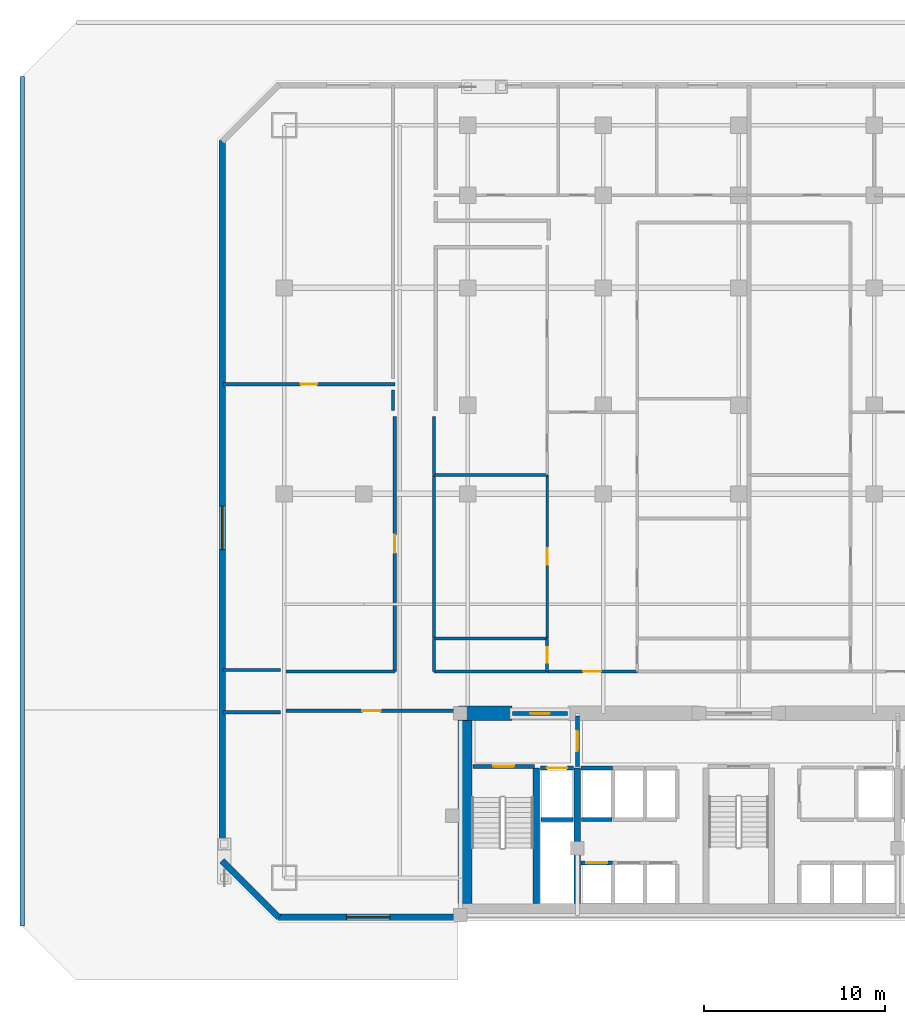
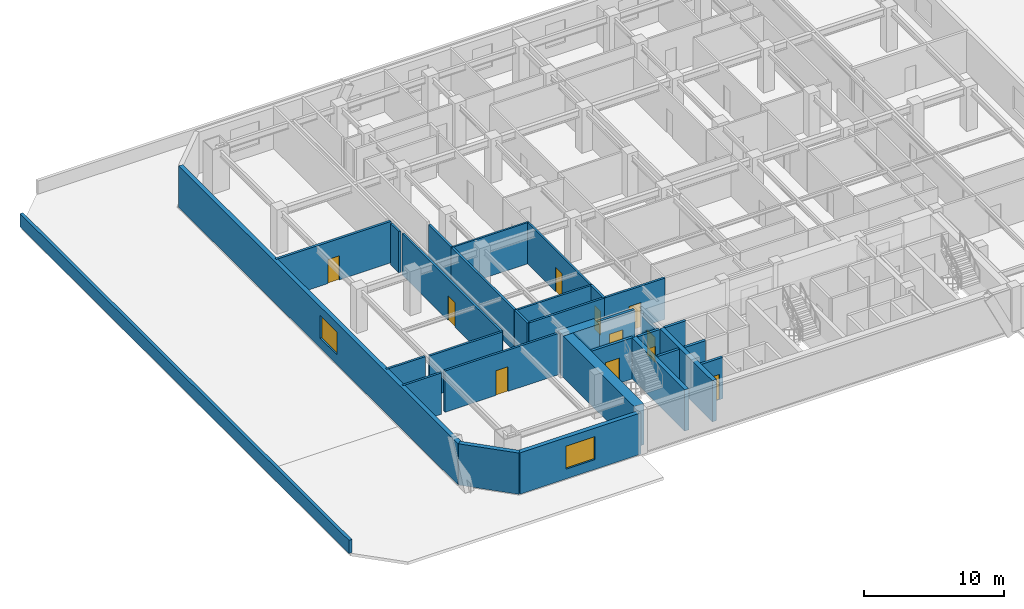
# One storey, part 5 of 11: 32 walls, 11 doors, 2 windows, 13 openings.
"""IFC4 building model written with IfcOpenShell, lengths in metres."""

import ifcopenshell
import ifcopenshell.guid

model = None  # the IFC model being written
_history = None  # IfcOwnerHistory: only IFC2X3 demands one
_inside = {}  # id of a spatial element -> (the spatial element, [elements in it])
_under = {}  # id of a project, library or spatial element -> (it, [spatial elements below it])
_declared = {}  # id of a project -> (the project, [libraries it declares])
_typed = {}  # id of a type object -> (the type object, [elements of that type])
_made_of = {}  # id of a material, layer set ... -> (it, [elements and type objects made of it])


def new_model(schema):
    """Start an empty IFC model of exactly this schema.

    Asked for "IFC4X3", IfcOpenShell would pick the latest addendum, in which some entities
    have other attributes; the version numbers below select the first issue.
    IFC2X3 requires an IfcOwnerHistory on every rooted entity: one is made here for all.
    """
    global model, _history
    if schema == "IFC4X3":
        model = ifcopenshell.file(schema_version=(4, 3, 0, 0))
    else:
        model = ifcopenshell.file(schema=schema)
    _inside.clear()
    _under.clear()
    _declared.clear()
    _typed.clear()
    _made_of.clear()
    _history = None
    if model.schema == "IFC2X3":
        org = make("IfcOrganization", Name="unknown")
        user = make(
            "IfcPersonAndOrganization",
            ThePerson=make("IfcPerson", FamilyName="unknown"),
            TheOrganization=org,
        )
        app = make(
            "IfcApplication",
            ApplicationDeveloper=org,
            Version="unknown",
            ApplicationFullName="unknown",
            ApplicationIdentifier="unknown",
        )
        _history = make(
            "IfcOwnerHistory",
            OwningUser=user,
            OwningApplication=app,
            ChangeAction="ADDED",
            CreationDate=0,
        )
    return model


def make(cls, **values):
    """One entity of the class cls with the attributes given. An attribute that is None is left unset."""
    return model.create_entity(
        cls, **{name: value for name, value in values.items() if value is not None}
    )


def rooted(cls, **values):
    """An entity with a GlobalId (a new one), such as an element, a storey or a relation."""
    return make(cls, GlobalId=ifcopenshell.guid.new(), OwnerHistory=_history, **values)


def si_unit(unit_type, name, prefix=None):
    """IfcSIUnit, for example si_unit("LENGTHUNIT", "METRE", prefix="MILLI")."""
    return make("IfcSIUnit", UnitType=unit_type, Prefix=prefix, Name=name)


def assignment(units):
    """IfcUnitAssignment: the units of a project."""
    return None if units is None else make("IfcUnitAssignment", Units=units)


def point(xyz):
    """IfcCartesianPoint."""
    return None if xyz is None else make("IfcCartesianPoint", Coordinates=xyz)


def direction(xyz):
    """IfcDirection."""
    return None if xyz is None else make("IfcDirection", DirectionRatios=xyz)


def frame(location, z_axis=None, x_axis=None):
    """IfcAxis2Placement3D, a coordinate frame: its origin and axes. An axis left out is left unset."""
    return make(
        "IfcAxis2Placement3D",
        Location=point(location),
        Axis=direction(z_axis),
        RefDirection=direction(x_axis),
    )


def frame_2d(location, x_axis=None):
    """IfcAxis2Placement2D, a coordinate frame in the plane: its origin and x axis."""
    return make(
        "IfcAxis2Placement2D", Location=point(location), RefDirection=direction(x_axis)
    )


def origin():
    """The frame at (0, 0, 0) with its axes left unset."""
    return frame((0.0, 0.0, 0.0))


def place(relative_to, where):
    """IfcLocalPlacement: puts the frame where relative to a parent placement (None: the world)."""
    return make(
        "IfcLocalPlacement", PlacementRelTo=relative_to, RelativePlacement=where
    )


def context(
    kind, dimensions, precision=None, world=None, true_north=None, identifier=None
):
    """IfcGeometricRepresentationContext, for example the 3D "Model" context."""
    return make(
        "IfcGeometricRepresentationContext",
        ContextIdentifier=identifier,
        ContextType=kind,
        CoordinateSpaceDimension=dimensions,
        Precision=precision,
        WorldCoordinateSystem=world,
        TrueNorth=true_north,
    )


def subcontext(parent, identifier, kind, view, scale=None):
    """IfcGeometricRepresentationSubContext, for example "Body" below "Model"."""
    return make(
        "IfcGeometricRepresentationSubContext",
        ContextIdentifier=identifier,
        ContextType=kind,
        ParentContext=parent,
        TargetScale=scale,
        TargetView=view,
    )


def project(units=None, contexts=None):
    """IfcProject with its units and contexts."""
    return rooted(
        "IfcProject",
        Name="project",
        RepresentationContexts=contexts,
        UnitsInContext=assignment(units),
    )


def spatial(cls, under=None, at=None, **own):
    """A site, building, storey or space (cls), placed at a placement, below another one or the project."""
    s = rooted(cls, ObjectPlacement=at, **own)
    if under is not None:
        _under.setdefault(under.id(), (under, []))[1].append(s)
    return s


def profile(cls, at=None, kind="AREA", **sizes):
    """A parametric profile (cls). Its sizes go by their IFC names, for example OverallWidth=200.0."""
    return make(cls, ProfileType=kind, Position=at, **sizes)


def rectangle(**sizes):
    """IfcRectangleProfileDef."""
    return profile("IfcRectangleProfileDef", **sizes)


def extrude(swept, where, along, depth):
    """IfcExtrudedAreaSolid: the profile swept, set in the frame where, extruded along a direction by depth."""
    return make(
        "IfcExtrudedAreaSolid",
        SweptArea=swept,
        Position=where,
        ExtrudedDirection=direction(along),
        Depth=depth,
    )


def shape(context_of_items, identifier, shape_type, items):
    """IfcShapeRepresentation: the items that make up one representation, for example the "Body"."""
    return make(
        "IfcShapeRepresentation",
        ContextOfItems=context_of_items,
        RepresentationIdentifier=identifier,
        RepresentationType=shape_type,
        Items=items,
    )


def material(Name=None, Category=None):
    """IfcMaterial."""
    return make("IfcMaterial", Name=Name, Category=Category)


def layer(
    of_material, thickness, ventilated=None, Name=None, Category=None, Priority=None
):
    """IfcMaterialLayer: one layer of a wall or slab, of a material (None: an air gap)."""
    return make(
        "IfcMaterialLayer",
        Material=of_material,
        LayerThickness=thickness,
        IsVentilated=ventilated,
        Name=Name,
        Category=Category,
        Priority=Priority,
    )


def layer_set(layers, Name=None):
    """IfcMaterialLayerSet."""
    return make("IfcMaterialLayerSet", MaterialLayers=layers, LayerSetName=Name)


def made_of(thing, what):
    """Note that an element or type object is made of a material, layer set ...; save() writes the relation."""
    if what is not None:
        _made_of.setdefault(what.id(), (what, []))[1].append(thing)
    return thing


def type_object(cls, material=None, **own):
    """A type object (cls), such as IfcWallType, which elements share."""
    return made_of(rooted(cls, **own), material)


def element(
    cls,
    number,
    at=None,
    inside=None,
    cuts=None,
    type_object=None,
    material=None,
    context=None,
    identifier="Body",
    shape_type=None,
    held_by="IfcProductDefinitionShape",
    body=None,
    shapes=None,
    **own,
):
    """One element of the class cls, such as IfcWall. Its Tag is "e" and its number.

    at: its placement. inside: the storey or other place that contains it. cuts: it is an
    opening in that element (IfcRelVoidsElement). A single representation is given by context,
    identifier, shape_type and body (its items); several are given by shapes. held_by: the class
    of the entity that holds the representations. save() writes the other relations.
    """
    e = rooted(cls, Tag="e%d" % number, ObjectPlacement=at, **own)
    if body is not None:
        shapes = [shape(context, identifier, shape_type, body)]
    if shapes is not None:
        e.Representation = make(held_by, Representations=shapes)
    if inside is not None:
        _inside.setdefault(inside.id(), (inside, []))[1].append(e)
    if cuts is not None:
        rooted(
            "IfcRelVoidsElement", RelatingBuildingElement=cuts, RelatedOpeningElement=e
        )
    if type_object is not None:
        _typed.setdefault(type_object.id(), (type_object, []))[1].append(e)
    return made_of(e, material)


def fill(opening, filler):
    """IfcRelFillsElement: the door or window that sits in an opening."""
    return rooted(
        "IfcRelFillsElement",
        RelatingOpeningElement=opening,
        RelatedBuildingElement=filler,
    )


def aggregate(whole, parts):
    """IfcRelAggregates: a whole, such as a stair, and the parts it consists of."""
    return rooted("IfcRelAggregates", RelatingObject=whole, RelatedObjects=parts)


def save(model, path):
    """Write the relations noted so far, then the file.

    IfcRelAggregates (storeys below a building ...), IfcRelContainedInSpatialStructure (elements
    in a storey), IfcRelDefinesByType, IfcRelAssociatesMaterial and IfcRelDeclares: one each for
    every whole, place, type object, material and project.
    """
    for whole, parts in _under.values():
        aggregate(whole, parts)
    for where, things in _inside.values():
        rooted(
            "IfcRelContainedInSpatialStructure",
            RelatedElements=things,
            RelatingStructure=where,
        )
    for kind, things in _typed.values():
        rooted("IfcRelDefinesByType", RelatedObjects=things, RelatingType=kind)
    for what, things in _made_of.values():
        rooted("IfcRelAssociatesMaterial", RelatedObjects=things, RelatingMaterial=what)
    for by, libraries in _declared.values():
        rooted("IfcRelDeclares", RelatingContext=by, RelatedDefinitions=libraries)
    model.write(path)


model = new_model("IFC4")

# Units and contexts
model_context = context("Model", 3, precision=1e-05, world=origin(), true_north=direction((0.0, 1.0)))
body_context = subcontext(model_context, "Body", "Model", "MODEL_VIEW")
ifc_project = project(units=[si_unit("LENGTHUNIT", "METRE"), si_unit("AREAUNIT", "SQUARE_METRE"), si_unit("VOLUMEUNIT", "CUBIC_METRE"), si_unit("PLANEANGLEUNIT", "RADIAN"), si_unit("MASSUNIT", "GRAM", prefix="KILO")], contexts=[model_context])

# Site, building, storey
site_placement = place(None, origin())
site = spatial("IfcSite", under=ifc_project, at=site_placement, CompositionType="ELEMENT")
building_placement = place(site_placement, origin())
building = spatial("IfcBuilding", under=site, at=building_placement, Name="Ventersveld Concourse Tower", CompositionType="ELEMENT")
storey_placement = place(building_placement, frame((0.0, 0.0, 29.800048828125)))
storey = spatial("IfcBuildingStorey", under=building, at=storey_placement, Name="L06", CompositionType="ELEMENT", Elevation=29.800048828125)

# Walls
ifc_material_1 = material(Name="Concrete C60/75", Category="concrete")
ifc_layer_1 = layer(ifc_material_1, 0.35009765625)
ifc_layer_set_1 = layer_set([ifc_layer_1], Name="Concrete C60/75")
wall_type_1 = type_object("IfcWallType", Name="WL-CORE-350L", PredefinedType="SHEAR", material=ifc_layer_set_1)
for number, where, z_axis, x_axis, name in (
    (1, (17.5400390625, 0.919921875, 0.0), (0.0, 0.0, 1.0), (0.0, 1.0, 0.0), "L06 Core Internal Shear Web W-ST1-E"),
    (2, (19.820068359375, 0.919921875, 0.0), (0.0, 0.0, 1.0), (0.0, 1.0, 0.0), "L06 Core Internal Shear Web W-FF1-E"),
):
    element("IfcWall", number, at=place(storey_placement, frame(where, z_axis=z_axis, x_axis=x_axis)), inside=storey, type_object=wall_type_1, Name=name, PredefinedType="SHEAR", context=body_context, shape_type="SweptSolid", body=[
        extrude(rectangle(XDim=7.5, YDim=0.35009765625, at=frame_2d((3.75, 0.0))), origin(), (0.0, 0.0, 1.0), 3.599853515625),
    ])
ifc_layer_2 = layer(ifc_material_1, 0.800048828125)
ifc_layer_set_2 = layer_set([ifc_layer_2], Name="Concrete C60/75")
wall_type_2 = type_object("IfcWallType", Name="WL-CORE-800", PredefinedType="SHEAR", material=ifc_layer_set_2)
wall_1_placement = place(storey_placement, frame((13.60009765625, 0.919921875, 0.0), z_axis=(0.0, 0.0, 1.0), x_axis=(0.0, 1.0, 0.0)))
element("IfcWall", 3, at=wall_1_placement, inside=storey, type_object=wall_type_2, Name="L06 Rear Core West Shear Wall", PredefinedType="SHEAR", context=body_context, shape_type="SweptSolid", body=[
    extrude(rectangle(XDim=10.530029296875, YDim=0.800048828125, at=frame_2d((5.26513671875, 0.0))), origin(), (0.0, 0.0, 1.0), 3.599853515625),
])
wall_2_placement = place(storey_placement, frame((13.25, 11.449951171875, 0.0), z_axis=(0.0, 0.0, 1.0), x_axis=(1.0, 0.0, 0.0)))
element("IfcWall", 4, at=wall_2_placement, inside=storey, type_object=wall_type_2, Name="L06 Rear Core North Shear Wall NW", PredefinedType="SHEAR", context=body_context, shape_type="SweptSolid", body=[
    extrude(rectangle(XDim=2.949951171875, YDim=0.800048828125, at=frame_2d((1.47509765625, 0.0))), origin(), (0.0, 0.0, 1.0), 3.599853515625),
])

# Wall, opening, door
ifc_material_2 = material(Name="Fire-rated autoclaved aerated masonry blockwork", Category="masonry")
ifc_layer_3 = layer(ifc_material_2, 0.179931640625)
ifc_layer_set_3 = layer_set([ifc_layer_3], Name="Fire-rated autoclaved aerated masonry blockwork")
wall_type_3 = type_object("IfcWallType", Name="WL-CORR-180", PredefinedType="PARTITIONING", material=ifc_layer_set_3)
wall_3_placement = place(storey_placement, frame((3.705078125, 11.60009765625, 0.0), z_axis=(0.0, 0.0, 1.0), x_axis=(1.0, 0.0, 0.0)))
wall_3 = element("IfcWall", 5, at=wall_3_placement, inside=storey, type_object=wall_type_3, Name="L06 Interior Partition SP-L06-SW-GAL-SP-L06-COR", PredefinedType="PARTITIONING", context=body_context, shape_type="SweptSolid", body=[
    extrude(rectangle(XDim=9.43994140625, YDim=0.179931640625, at=frame_2d((4.719970703125, 0.0))), origin(), (0.0, 0.0, 1.0), 3.599853515625),
])
opening_1_placement = place(wall_3_placement, frame((4.219970703125, 0.0, 0.0)))
opening_1 = element("IfcOpeningElement", 6, at=opening_1_placement, cuts=wall_3, Name="Opening FD3", PredefinedType="OPENING", context=body_context, shape_type="SweptSolid", body=[
    extrude(rectangle(XDim=1.0, YDim=2.14990234375, at=frame_2d((0.5, 1.074951171875))), frame((0.0, 0.10009765625, 0.0), z_axis=(0.0, -1.0, 0.0), x_axis=(1.0, 0.0, 0.0)), (0.0, 0.0, 1.0), 0.199951171875),
])
ifc_material_3 = material(Name="Solid-core hardwood veneer timber", Category="wood")
door_type_1 = type_object("IfcDoorType", Name="DR-FLAT-100", OperationType="NOTDEFINED", PredefinedType="DOOR", material=ifc_material_3)
door_1_placement = place(opening_1_placement, origin())
door_1 = element("IfcDoor", 7, at=door_1_placement, inside=storey, type_object=door_type_1, Name="L06 Interior Door SP-L06-SW-GAL to SP-L06-COR (D-L06-0185)", OperationType="SINGLE_SWING_LEFT", OverallHeight=2.14990234375, OverallWidth=1.0, PredefinedType="DOOR", context=body_context, shape_type="SweptSolid", body=[
    extrude(rectangle(XDim=1.0, YDim=2.14990234375, at=frame_2d((0.5, 1.074951171875))), frame((0.0, 0.02490234375, 0.0), z_axis=(0.0, -1.0, 0.0), x_axis=(1.0, 0.0, 0.0)), (0.0, 0.0, 1.0), 0.050048828125),
])
fill(opening_1, door_1)

wall_4_placement = place(storey_placement, frame((9.7099609375, 13.764892578125, 0.0), z_axis=(0.0, 0.0, 1.0), x_axis=(0.0, 1.0, 0.0)))
wall_4 = element("IfcWall", 8, at=wall_4_placement, inside=storey, type_object=wall_type_3, Name="L06 Interior Partition SP-L06-COR-SP-L06-NWLNG1", PredefinedType="PARTITIONING", context=body_context, shape_type="SweptSolid", body=[
    extrude(rectangle(XDim=14.130126953125, YDim=0.179931640625, at=frame_2d((7.06494140625, 0.0))), origin(), (0.0, 0.0, 1.0), 3.599853515625),
])
opening_2_placement = place(wall_4_placement, frame((6.56494140625, 0.0, 0.0)))
opening_2 = element("IfcOpeningElement", 9, at=opening_2_placement, cuts=wall_4, Name="Opening FD3", PredefinedType="OPENING", context=body_context, shape_type="SweptSolid", body=[
    extrude(rectangle(XDim=1.0, YDim=2.14990234375, at=frame_2d((0.5, 1.074951171875))), frame((0.0, 0.10009765625, 0.0), z_axis=(0.0, -1.0, 0.0), x_axis=(1.0, 0.0, 0.0)), (0.0, 0.0, 1.0), 0.199951171875),
])
door_2_placement = place(opening_2_placement, origin())
door_2 = element("IfcDoor", 10, at=door_2_placement, inside=storey, type_object=door_type_1, Name="L06 Interior Door SP-L06-COR to SP-L06-NWLNG1 (D-L06-0187)", OperationType="SINGLE_SWING_LEFT", OverallHeight=2.14990234375, OverallWidth=1.0, PredefinedType="DOOR", context=body_context, shape_type="SweptSolid", body=[
    extrude(rectangle(XDim=1.0, YDim=2.14990234375, at=frame_2d((0.5, 1.074951171875))), frame((0.0, 0.02490234375, 0.0), z_axis=(0.0, -1.0, 0.0), x_axis=(1.0, 0.0, 0.0)), (0.0, 0.0, 1.0), 0.050048828125),
])
fill(opening_2, door_2)

# Wall
wall_5_placement = place(storey_placement, frame((3.705078125, 13.77001953125, 0.0), z_axis=(0.0, 0.0, 1.0), x_axis=(1.0, 0.0, 0.0)))
element("IfcWall", 11, at=wall_5_placement, inside=storey, type_object=wall_type_3, Name="L06 Interior Partition SP-L06-COR-SP-L06-NWLNG1", PredefinedType="PARTITIONING", context=body_context, shape_type="SweptSolid", body=[
    extrude(rectangle(XDim=6.010009765625, YDim=0.179931640625, at=frame_2d((3.0048828125, 0.0))), origin(), (0.0, 0.0, 1.0), 3.599853515625),
])

# Wall, opening, door
wall_6_placement = place(storey_placement, frame((18.142822265625, 13.77001953125, 0.0), z_axis=(0.0, 0.0, 1.0), x_axis=(1.0, 0.0, 0.0)))
wall_6 = element("IfcWall", 12, at=wall_6_placement, inside=storey, type_object=wall_type_3, Name="L06 Interior Partition SP-L06-COR-SP-L06-06N1-FOY", PredefinedType="PARTITIONING", context=body_context, shape_type="SweptSolid", body=[
    extrude(rectangle(XDim=4.989990234375, YDim=0.179931640625, at=frame_2d((2.4951171875, 0.0))), origin(), (0.0, 0.0, 1.0), 3.599853515625),
])
opening_3_placement = place(wall_6_placement, frame((1.9951171875, 0.0, 0.0)))
opening_3 = element("IfcOpeningElement", 13, at=opening_3_placement, cuts=wall_6, Name="Opening FD3", PredefinedType="OPENING", context=body_context, shape_type="SweptSolid", body=[
    extrude(rectangle(XDim=1.0, YDim=2.14990234375, at=frame_2d((0.5, 1.074951171875))), frame((0.0, 0.10009765625, 0.0), z_axis=(0.0, -1.0, 0.0), x_axis=(1.0, 0.0, 0.0)), (0.0, 0.0, 1.0), 0.199951171875),
])
door_3_placement = place(opening_3_placement, origin())
door_3 = element("IfcDoor", 14, at=door_3_placement, inside=storey, type_object=door_type_1, Name="L06 Interior Door SP-L06-COR to SP-L06-06N1-FOY (FD-L06-0189)", OperationType="SINGLE_SWING_LEFT", OverallHeight=2.14990234375, OverallWidth=1.0, PredefinedType="DOOR", context=body_context, shape_type="SweptSolid", body=[
    extrude(rectangle(XDim=1.0, YDim=2.14990234375, at=frame_2d((0.5, 1.074951171875))), frame((0.0, 0.02490234375, 0.0), z_axis=(0.0, -1.0, 0.0), x_axis=(1.0, 0.0, 0.0)), (0.0, 0.0, 1.0), 0.050048828125),
])
fill(opening_3, door_3)

# Walls
wall_7_placement = place(storey_placement, frame((11.885009765625, 13.77001953125, 0.0), z_axis=(0.0, 0.0, 1.0), x_axis=(1.0, 0.0, 0.0)))
element("IfcWall", 15, at=wall_7_placement, inside=storey, type_object=wall_type_3, Name="L06 Interior Partition SP-L06-COR-SP-L06-06N1-BATH", PredefinedType="PARTITIONING", context=body_context, shape_type="SweptSolid", body=[
    extrude(rectangle(XDim=6.227783203125, YDim=0.179931640625, at=frame_2d((3.11376953125, 0.0))), origin(), (0.0, 0.0, 1.0), 3.599853515625),
])
wall_8_placement = place(storey_placement, frame((11.889892578125, 13.764892578125, 0.0), z_axis=(0.0, 0.0, 1.0), x_axis=(0.0, 1.0, 0.0)))
element("IfcWall", 16, at=wall_8_placement, inside=storey, type_object=wall_type_3, Name="L06 Interior Partition SP-L06-COR-SP-L06-06N1-BATH", PredefinedType="PARTITIONING", context=body_context, shape_type="SweptSolid", body=[
    extrude(rectangle(XDim=1.840087890625, YDim=0.179931640625, at=frame_2d((0.919921875, 0.0))), origin(), (0.0, 0.0, 1.0), 3.599853515625),
])
wall_9_placement = place(storey_placement, frame((11.889892578125, 15.635009765625, 0.0), z_axis=(0.0, 0.0, 1.0), x_axis=(0.0, 1.0, 0.0)))
element("IfcWall", 17, at=wall_9_placement, inside=storey, type_object=wall_type_3, Name="L06 Interior Partition SP-L06-COR-SP-L06-06N1-DENL", PredefinedType="PARTITIONING", context=body_context, shape_type="SweptSolid", body=[
    extrude(rectangle(XDim=9.019775390625, YDim=0.179931640625, at=frame_2d((4.509765625, 0.0))), origin(), (0.0, 0.0, 1.0), 3.599853515625),
])
wall_10_placement = place(storey_placement, frame((11.889892578125, 24.684814453125, 0.0), z_axis=(0.0, 0.0, 1.0), x_axis=(0.0, 1.0, 0.0)))
element("IfcWall", 18, at=wall_10_placement, inside=storey, type_object=wall_type_3, Name="L06 Interior Partition SP-L06-COR-SP-L06-06N1-DENL2", PredefinedType="PARTITIONING", context=body_context, shape_type="SweptSolid", body=[
    extrude(rectangle(XDim=3.210205078125, YDim=0.179931640625, at=frame_2d((1.60498046875, 0.0))), origin(), (0.0, 0.0, 1.0), 3.599853515625),
])
wall_11_placement = place(storey_placement, frame((0.2099609375, 11.52001953125, 0.0), z_axis=(0.0, 0.0, 1.0), x_axis=(1.0, 0.0, 0.0)))
element("IfcWall", 19, at=wall_11_placement, inside=storey, type_object=wall_type_3, Name="L06 Room Enclosure Wall SP-L06-SW-GAL", PredefinedType="PARTITIONING", context=body_context, shape_type="SweptSolid", body=[
    extrude(rectangle(XDim=3.177734375, YDim=0.179931640625, at=frame_2d((1.5888671875, 0.0))), origin(), (0.0, 0.0, 1.0), 3.599853515625),
])
wall_12_placement = place(storey_placement, frame((9.6201171875, 29.344970703125, 0.0), z_axis=(0.0, 0.0, 1.0), x_axis=(0.0, -1.0, 0.0)))
element("IfcWall", 20, at=wall_12_placement, inside=storey, type_object=wall_type_3, Name="L06 Room Enclosure Wall SP-L06-NWLNG1", PredefinedType="PARTITIONING", context=body_context, shape_type="SweptSolid", body=[
    extrude(rectangle(XDim=1.135009765625, YDim=0.179931640625, at=frame_2d((0.5673828125, 0.0))), origin(), (0.0, 0.0, 1.0), 3.599853515625),
])
wall_13_placement = place(storey_placement, frame((3.39013671875, 13.860107421875, 0.0), z_axis=(0.0, 0.0, 1.0), x_axis=(-1.0, 0.0, 0.0)))
element("IfcWall", 21, at=wall_13_placement, inside=storey, type_object=wall_type_3, Name="L06 Room Enclosure Wall SP-L06-NWLNG1", PredefinedType="PARTITIONING", context=body_context, shape_type="SweptSolid", body=[
    extrude(rectangle(XDim=3.18017578125, YDim=0.179931640625, at=frame_2d((1.590087890625, 0.0))), origin(), (0.0, 0.0, 1.0), 3.599853515625),
])

# Wall, opening, door
ifc_layer_4 = layer(ifc_material_2, 0.199951171875)
ifc_layer_set_4 = layer_set([ifc_layer_4], Name="Fire-rated autoclaved aerated masonry blockwork")
wall_type_4 = type_object("IfcWallType", Name="WL-DEMISE-200", PredefinedType="PARTITIONING", material=ifc_layer_set_4)
wall_14_placement = place(storey_placement, frame((0.2099609375, 29.669921875, 0.0), z_axis=(0.0, 0.0, 1.0), x_axis=(1.0, 0.0, 0.0)))
wall_14 = element("IfcWall", 22, at=wall_14_placement, inside=storey, type_object=wall_type_4, Name="L06 Interior Partition SP-L06-NWLNG1-SP-L06-NWLNG2", PredefinedType="PARTITIONING", context=body_context, shape_type="SweptSolid", body=[
    extrude(rectangle(XDim=9.505126953125, YDim=0.199951171875, at=frame_2d((4.75244140625, 0.0))), origin(), (0.0, 0.0, 1.0), 3.599853515625),
])
opening_4_placement = place(wall_14_placement, frame((4.29248046875, 0.0, 0.0)))
opening_4 = element("IfcOpeningElement", 23, at=opening_4_placement, cuts=wall_14, Name="Opening ID1", PredefinedType="OPENING", context=body_context, shape_type="SweptSolid", body=[
    extrude(rectangle(XDim=0.919921875, YDim=2.10009765625, at=frame_2d((0.4599609375, 1.050048828125))), frame((0.0, 0.10986328125, 0.0), z_axis=(0.0, -1.0, 0.0), x_axis=(1.0, 0.0, 0.0)), (0.0, 0.0, 1.0), 0.219970703125),
])
door_type_2 = type_object("IfcDoorType", Name="DR-ROOM-092", OperationType="NOTDEFINED", PredefinedType="DOOR", material=ifc_material_3)
door_4_placement = place(opening_4_placement, origin())
door_4 = element("IfcDoor", 24, at=door_4_placement, inside=storey, type_object=door_type_2, Name="L06 Interior Door SP-L06-NWLNG1 to SP-L06-NWLNG2 (D-L06-0191)", OperationType="SINGLE_SWING_LEFT", OverallHeight=2.10009765625, OverallWidth=0.919921875, PredefinedType="DOOR", context=body_context, shape_type="SweptSolid", body=[
    extrude(rectangle(XDim=0.919921875, YDim=2.10009765625, at=frame_2d((0.4599609375, 1.050048828125))), frame((0.0, 0.02490234375, 0.0), z_axis=(0.0, -1.0, 0.0), x_axis=(1.0, 0.0, 0.0)), (0.0, 0.0, 1.0), 0.050048828125),
])
fill(opening_4, door_4)

# Wall
ifc_layer_5 = layer(ifc_material_2, 0.219970703125)
ifc_layer_set_5 = layer_set([ifc_layer_5], Name="Fire-rated autoclaved aerated masonry blockwork")
wall_type_5 = type_object("IfcWallType", Name="WL-HOIST-220", PredefinedType="SOLIDWALL", material=ifc_layer_set_5)
wall_15_placement = place(storey_placement, frame((17.800048828125, 5.590087890625, 0.0), z_axis=(0.0, 0.0, 1.0), x_axis=(1.0, 0.0, 0.0)))
element("IfcWall", 25, at=wall_15_placement, inside=storey, type_object=wall_type_5, Name="L06 Lift Hoistway Back Wall FFL-01", PredefinedType="SOLIDWALL", context=body_context, shape_type="SweptSolid", body=[
    extrude(rectangle(XDim=1.780029296875, YDim=0.219970703125, at=frame_2d((0.89013671875, 0.0))), origin(), (0.0, 0.0, 1.0), 3.599853515625),
])

# Wall, opening, door
wall_16_placement = place(storey_placement, frame((17.780029296875, 8.429931640625, 0.0), z_axis=(0.0, 0.0, 1.0), x_axis=(1.0, 0.0, 0.0)))
wall_16 = element("IfcWall", 26, at=wall_16_placement, inside=storey, type_object=wall_type_5, Name="L06 Lift Hoistway Front Wall FFL-01", PredefinedType="SOLIDWALL", context=body_context, shape_type="SweptSolid", body=[
    extrude(rectangle(XDim=1.820068359375, YDim=0.219970703125, at=frame_2d((0.91015625, 0.0))), origin(), (0.0, 0.0, 1.0), 3.599853515625),
])
opening_5_placement = place(wall_16_placement, frame((0.35009765625, 0.0, 0.0)))
opening_5 = element("IfcOpeningElement", 27, at=opening_5_placement, cuts=wall_16, Name="Opening LD1", PredefinedType="OPENING", context=body_context, shape_type="SweptSolid", body=[
    extrude(rectangle(XDim=1.1201171875, YDim=2.25, at=frame_2d((0.56005859375, 1.125))), frame((0.0, 0.1201171875, 0.0), z_axis=(0.0, -1.0, 0.0), x_axis=(1.0, 0.0, 0.0)), (0.0, 0.0, 1.0), 0.239990234375),
])
ifc_material_4 = material(Name="Brushed stainless steel 316", Category="steel")
door_type_3 = type_object("IfcDoorType", Name="LD-FF-112", OperationType="SLIDING_TO_LEFT", PredefinedType="DOOR", material=ifc_material_4)
door_5_placement = place(opening_5_placement, origin())
door_5 = element("IfcDoor", 28, at=door_5_placement, inside=storey, type_object=door_type_3, Name="L06 Lift landing door FFL-01 (LD-L06-FFL-01)", OperationType="SLIDING_TO_LEFT", OverallHeight=2.25, OverallWidth=1.1201171875, PredefinedType="DOOR", context=body_context, shape_type="SweptSolid", body=[
    extrude(rectangle(XDim=1.1201171875, YDim=2.25, at=frame_2d((0.56005859375, 1.125))), frame((0.0, 0.02490234375, 0.0), z_axis=(0.0, -1.0, 0.0), x_axis=(1.0, 0.0, 0.0)), (0.0, 0.0, 1.0), 0.050048828125),
])
fill(opening_5, door_5)

wall_17_placement = place(storey_placement, frame((20.02001953125, 3.179931640625, 0.0), z_axis=(0.0, 0.0, 1.0), x_axis=(1.0, 0.0, 0.0)))
wall_17 = element("IfcWall", 29, at=wall_17_placement, inside=storey, type_object=wall_type_5, Name="L06 Lift Hoistway Front Wall PL-01", PredefinedType="SOLIDWALL", context=body_context, shape_type="SweptSolid", body=[
    extrude(rectangle(XDim=1.739990234375, YDim=0.219970703125, at=frame_2d((0.8701171875, 0.0))), origin(), (0.0, 0.0, 1.0), 3.599853515625),
])
opening_6_placement = place(wall_17_placement, frame((0.280029296875, 0.0, 0.0)))
opening_6 = element("IfcOpeningElement", 30, at=opening_6_placement, cuts=wall_17, Name="Opening LD2", PredefinedType="OPENING", context=body_context, shape_type="SweptSolid", body=[
    extrude(rectangle(XDim=1.179931640625, YDim=2.199951171875, at=frame_2d((0.58984375, 1.10009765625))), frame((0.0, 0.1201171875, 0.0), z_axis=(0.0, -1.0, 0.0), x_axis=(1.0, 0.0, 0.0)), (0.0, 0.0, 1.0), 0.239990234375),
])
door_type_4 = type_object("IfcDoorType", Name="LD-PAX-118", OperationType="SLIDING_TO_LEFT", PredefinedType="DOOR", material=ifc_material_4)
door_6_placement = place(opening_6_placement, origin())
door_6 = element("IfcDoor", 31, at=door_6_placement, inside=storey, type_object=door_type_4, Name="L06 Lift landing door PL-01 (LD-L06-PL-01)", OperationType="SLIDING_TO_RIGHT", OverallHeight=2.199951171875, OverallWidth=1.179931640625, PredefinedType="DOOR", context=body_context, shape_type="SweptSolid", body=[
    extrude(rectangle(XDim=1.179931640625, YDim=2.199951171875, at=frame_2d((0.58984375, 1.10009765625))), frame((0.0, 0.02490234375, 0.0), z_axis=(0.0, -1.0, 0.0), x_axis=(1.0, 0.0, 0.0)), (0.0, 0.0, 1.0), 0.050048828125),
])
fill(opening_6, door_6)

# Walls
wall_18_placement = place(storey_placement, frame((20.0400390625, 5.590087890625, 0.0), z_axis=(0.0, 0.0, 1.0), x_axis=(1.0, 0.0, 0.0)))
element("IfcWall", 32, at=wall_18_placement, inside=storey, type_object=wall_type_5, Name="L06 Lift Hoistway Back Wall PH-01", PredefinedType="SOLIDWALL", context=body_context, shape_type="SweptSolid", body=[
    extrude(rectangle(XDim=1.699951171875, YDim=0.219970703125, at=frame_2d((0.85009765625, 0.0))), origin(), (0.0, 0.0, 1.0), 3.599853515625),
])
wall_19_placement = place(storey_placement, frame((20.02001953125, 8.429931640625, 0.0), z_axis=(0.0, 0.0, 1.0), x_axis=(1.0, 0.0, 0.0)))
element("IfcWall", 33, at=wall_19_placement, inside=storey, type_object=wall_type_5, Name="L06 Lift Hoistway Front Wall PH-01", PredefinedType="SOLIDWALL", context=body_context, shape_type="SweptSolid", body=[
    extrude(rectangle(XDim=1.739990234375, YDim=0.219970703125, at=frame_2d((0.8701171875, 0.0))), origin(), (0.0, 0.0, 1.0), 3.599853515625),
])

# Wall, opening, door
wall_20_placement = place(storey_placement, frame((14.0400390625, 8.52001953125, 0.0), z_axis=(0.0, 0.0, 1.0), x_axis=(1.0, 0.0, 0.0)))
wall_20 = element("IfcWall", 34, at=wall_20_placement, inside=storey, type_object=wall_type_5, Name="L06 Escape Stair ST01 Fire Wall", PredefinedType="SOLIDWALL", context=body_context, shape_type="SweptSolid", body=[
    extrude(rectangle(XDim=3.39990234375, YDim=0.219970703125, at=frame_2d((1.699951171875, 0.0))), origin(), (0.0, 0.0, 1.0), 3.599853515625),
])
opening_7_placement = place(wall_20_placement, frame((1.125, 0.0, 0.0)))
opening_7 = element("IfcOpeningElement", 35, at=opening_7_placement, cuts=wall_20, Name="Opening FD1", PredefinedType="OPENING", context=body_context, shape_type="SweptSolid", body=[
    extrude(rectangle(XDim=1.14990234375, YDim=2.199951171875, at=frame_2d((0.574951171875, 1.10009765625))), frame((0.0, 0.1201171875, 0.0), z_axis=(0.0, -1.0, 0.0), x_axis=(1.0, 0.0, 0.0)), (0.0, 0.0, 1.0), 0.239990234375),
])
ifc_material_5 = material(Name="Galvanised painted steel", Category="steel")
door_type_5 = type_object("IfcDoorType", Name="DR-STAIR-115", OperationType="NOTDEFINED", PredefinedType="DOOR", material=ifc_material_5)
door_7_placement = place(opening_7_placement, origin())
door_7 = element("IfcDoor", 36, at=door_7_placement, inside=storey, type_object=door_type_5, Name="L06 Escape Stair Door ST01 (SD-L06-0176)", OperationType="SINGLE_SWING_LEFT", OverallHeight=2.199951171875, OverallWidth=1.14990234375, PredefinedType="DOOR", context=body_context, shape_type="SweptSolid", body=[
    extrude(rectangle(XDim=1.14990234375, YDim=2.199951171875, at=frame_2d((0.574951171875, 1.10009765625))), frame((0.0, 0.02490234375, 0.0), z_axis=(0.0, -1.0, 0.0), x_axis=(1.0, 0.0, 0.0)), (0.0, 0.0, 1.0), 0.050048828125),
])
fill(opening_7, door_7)

wall_21_placement = place(storey_placement, frame((19.820068359375, 8.52001953125, 0.0), z_axis=(0.0, 0.0, 1.0), x_axis=(0.0, 1.0, 0.0)))
wall_21 = element("IfcWall", 37, at=wall_21_placement, inside=storey, type_object=wall_type_5, Name="L06 Firefighting Lobby Smoke-Stop Wall FFLW-SEP", PredefinedType="SOLIDWALL", context=body_context, shape_type="SweptSolid", body=[
    extrude(rectangle(XDim=2.800048828125, YDim=0.219970703125, at=frame_2d((1.39990234375, 0.0))), origin(), (0.0, 0.0, 1.0), 3.055419921875),
])
opening_8_placement = place(wall_21_placement, frame((0.85009765625, 0.0, 0.0)))
opening_8 = element("IfcOpeningElement", 38, at=opening_8_placement, cuts=wall_21, Name="Opening FD2", PredefinedType="OPENING", context=body_context, shape_type="SweptSolid", body=[
    extrude(rectangle(XDim=1.10009765625, YDim=2.199951171875, at=frame_2d((0.550048828125, 1.10009765625))), frame((0.0, 0.1201171875, 0.0), z_axis=(0.0, -1.0, 0.0), x_axis=(1.0, 0.0, 0.0)), (0.0, 0.0, 1.0), 0.239990234375),
])
door_type_6 = type_object("IfcDoorType", Name="DR-FFL-110", OperationType="NOTDEFINED", PredefinedType="DOOR", material=ifc_material_5)
door_8_placement = place(opening_8_placement, origin())
door_8 = element("IfcDoor", 39, at=door_8_placement, inside=storey, type_object=door_type_6, Name="L06 Firefighting Lobby Door FFLW-SEP (FD-L06-0179)", OperationType="SINGLE_SWING_LEFT", OverallHeight=2.199951171875, OverallWidth=1.10009765625, PredefinedType="DOOR", context=body_context, shape_type="SweptSolid", body=[
    extrude(rectangle(XDim=1.10009765625, YDim=2.199951171875, at=frame_2d((0.550048828125, 1.10009765625))), frame((0.0, 0.02490234375, 0.0), z_axis=(0.0, -1.0, 0.0), x_axis=(1.0, 0.0, 0.0)), (0.0, 0.0, 1.0), 0.050048828125),
])
fill(opening_8, door_8)

wall_22_placement = place(storey_placement, frame((16.22998046875, 11.449951171875, 0.0), z_axis=(0.0, 0.0, 1.0), x_axis=(1.0, 0.0, 0.0)))
wall_22 = element("IfcWall", 40, at=wall_22_placement, inside=storey, type_object=wall_type_5, Name="L06 Core North Fire Portal FFLW-OUT", PredefinedType="SOLIDWALL", context=body_context, shape_type="SweptSolid", body=[
    extrude(rectangle(XDim=3.0400390625, YDim=0.219970703125, at=frame_2d((1.52001953125, 0.0))), origin(), (0.0, 0.0, 1.0), 3.599853515625),
])
opening_9_placement = place(wall_22_placement, frame((0.969970703125, 0.0, 0.0)))
opening_9 = element("IfcOpeningElement", 41, at=opening_9_placement, cuts=wall_22, Name="Opening FD2", PredefinedType="OPENING", context=body_context, shape_type="SweptSolid", body=[
    extrude(rectangle(XDim=1.10009765625, YDim=2.199951171875, at=frame_2d((0.550048828125, 1.10009765625))), frame((0.0, 0.1201171875, 0.0), z_axis=(0.0, -1.0, 0.0), x_axis=(1.0, 0.0, 0.0)), (0.0, 0.0, 1.0), 0.239990234375),
])
door_9_placement = place(opening_9_placement, origin())
door_9 = element("IfcDoor", 42, at=door_9_placement, inside=storey, type_object=door_type_6, Name="L06 Core Lobby Fire Door FFLW-OUT (FD-L06-0181)", OperationType="SINGLE_SWING_RIGHT", OverallHeight=2.199951171875, OverallWidth=1.10009765625, PredefinedType="DOOR", context=body_context, shape_type="SweptSolid", body=[
    extrude(rectangle(XDim=1.10009765625, YDim=2.199951171875, at=frame_2d((0.550048828125, 1.10009765625))), frame((0.0, 0.02490234375, 0.0), z_axis=(0.0, -1.0, 0.0), x_axis=(1.0, 0.0, 0.0)), (0.0, 0.0, 1.0), 0.050048828125),
])
fill(opening_9, door_9)

ifc_material_6 = material(Name="Autoclaved aerated masonry blockwork", Category="masonry")
ifc_layer_6 = layer(ifc_material_6, 0.14990234375)
ifc_layer_set_6 = layer_set([ifc_layer_6], Name="Autoclaved aerated masonry blockwork")
wall_type_6 = type_object("IfcWallType", Name="WL-INT-150", PredefinedType="PARTITIONING", material=ifc_layer_set_6)
wall_23_placement = place(storey_placement, frame((18.14794921875, 15.635009765625, 0.0), z_axis=(0.0, 0.0, 1.0), x_axis=(0.0, 1.0, 0.0)))
wall_23 = element("IfcWall", 43, at=wall_23_placement, inside=storey, type_object=wall_type_6, Name="L06 Interior Partition SP-L06-06N1-FOY-SP-L06-06N1-DENL", PredefinedType="PARTITIONING", context=body_context, shape_type="SweptSolid", body=[
    extrude(rectangle(XDim=9.019775390625, YDim=0.14990234375, at=frame_2d((4.509765625, 0.0))), origin(), (0.0, 0.0, 1.0), 3.599853515625),
])
opening_10_placement = place(wall_23_placement, frame((4.050048828125, 0.0, 0.0)))
opening_10 = element("IfcOpeningElement", 44, at=opening_10_placement, cuts=wall_23, Name="Opening ID1", PredefinedType="OPENING", context=body_context, shape_type="SweptSolid", body=[
    extrude(rectangle(XDim=0.919921875, YDim=2.10009765625, at=frame_2d((0.4599609375, 1.050048828125))), frame((0.0, 0.0849609375, 0.0), z_axis=(0.0, -1.0, 0.0), x_axis=(1.0, 0.0, 0.0)), (0.0, 0.0, 1.0), 0.169921875),
])
door_10_placement = place(opening_10_placement, origin())
door_10 = element("IfcDoor", 45, at=door_10_placement, inside=storey, type_object=door_type_2, Name="L06 Interior Door SP-L06-06N1-FOY to SP-L06-06N1-DENL (D-L06-0195)", OperationType="SINGLE_SWING_LEFT", OverallHeight=2.10009765625, OverallWidth=0.919921875, PredefinedType="DOOR", context=body_context, shape_type="SweptSolid", body=[
    extrude(rectangle(XDim=0.919921875, YDim=2.10009765625, at=frame_2d((0.4599609375, 1.050048828125))), frame((0.0, 0.02490234375, 0.0), z_axis=(0.0, -1.0, 0.0), x_axis=(1.0, 0.0, 0.0)), (0.0, 0.0, 1.0), 0.050048828125),
])
fill(opening_10, door_10)

# Walls
wall_24_placement = place(storey_placement, frame((11.885009765625, 24.64990234375, 0.0), z_axis=(0.0, 0.0, 1.0), x_axis=(1.0, 0.0, 0.0)))
element("IfcWall", 46, at=wall_24_placement, inside=storey, type_object=wall_type_6, Name="L06 Interior Partition SP-L06-06N1-DENL-SP-L06-06N1-DENL2", PredefinedType="PARTITIONING", context=body_context, shape_type="SweptSolid", body=[
    extrude(rectangle(XDim=6.267822265625, YDim=0.14990234375, at=frame_2d((3.1337890625, 0.0))), origin(), (0.0, 0.0, 1.0), 3.599853515625),
])
ifc_material_7 = material(Name="Precast concrete C45/55", Category="concrete")
ifc_layer_7 = layer(ifc_material_7, 0.25)
ifc_layer_set_7 = layer_set([ifc_layer_7], Name="Precast concrete C45/55")
wall_type_7 = type_object("IfcWallType", Name="WL-PARA-250", PredefinedType="PARAPET", material=ifc_layer_set_7)
wall_25_placement = place(storey_placement, frame((-10.89990234375, 46.699951171875, 0.0), z_axis=(0.0, 0.0, 1.0), x_axis=(0.0, -1.0, 0.0)))
element("IfcWall", 47, at=wall_25_placement, inside=storey, type_object=wall_type_7, Name="L06 Setback Roof Parapet Wall 4", PredefinedType="PARAPET", context=body_context, shape_type="SweptSolid", body=[
    extrude(rectangle(XDim=47.0, YDim=0.25, at=frame_2d((23.5, 0.0))), origin(), (0.0, 0.0, 1.0), 1.14990234375),
])

# Wall, opening, window
ifc_layer_8 = layer(ifc_material_7, 0.35009765625)
ifc_layer_set_8 = layer_set([ifc_layer_8], Name="Precast concrete C45/55")
wall_type_8 = type_object("IfcWallType", Name="WL-PREC-350", PredefinedType="SOLIDWALL", material=ifc_layer_set_8)
wall_26_placement = place(storey_placement, frame((3.239990234375, 0.179931640625, 0.0), z_axis=(0.0, 0.0, 1.0), x_axis=(1.0, 0.0, 0.0)))
wall_26 = element("IfcWall", 48, at=wall_26_placement, inside=storey, type_object=wall_type_8, Name="L06 South-West Flank Precast Wall", PredefinedType="SOLIDWALL", context=body_context, shape_type="SweptSolid", body=[
    extrude(rectangle(XDim=10.010009765625, YDim=0.35009765625, at=frame_2d((5.0048828125, 0.0))), origin(), (0.0, 0.0, 1.0), 3.599853515625),
])
opening_11_placement = place(wall_26_placement, frame((3.804931640625, 0.0, 0.85009765625)))
opening_11 = element("IfcOpeningElement", 49, at=opening_11_placement, cuts=wall_26, Name="Opening W5", PredefinedType="OPENING", context=body_context, shape_type="SweptSolid", body=[
    extrude(rectangle(XDim=2.39990234375, YDim=2.0, at=frame_2d((1.199951171875, 1.0))), frame((0.0, 0.18505859375, 0.0), z_axis=(0.0, -1.0, 0.0), x_axis=(1.0, 0.0, 0.0)), (0.0, 0.0, 1.0), 0.3701171875),
])
ifc_material_8 = material(Name="Tempered acoustic Low-E IGU", Category="glass")
window_type = type_object("IfcWindowType", Name="WIN-240x210", PartitioningType="SINGLE_PANEL", PredefinedType="WINDOW", material=ifc_material_8)
window_1_placement = place(opening_11_placement, origin())
window_1 = element("IfcWindow", 50, at=window_1_placement, inside=storey, type_object=window_type, Name="L06 Punched Low-E Window W-0001", OverallHeight=2.0, OverallWidth=2.39990234375, PartitioningType="SINGLE_PANEL", PredefinedType="WINDOW", context=body_context, shape_type="SweptSolid", body=[
    extrude(rectangle(XDim=2.39990234375, YDim=2.0, at=frame_2d((1.199951171875, 1.0))), frame((0.0, 0.030029296875, 0.0), z_axis=(0.0, -1.0, 0.0), x_axis=(1.0, 0.0, 0.0)), (0.0, 0.0, 1.0), 0.06005859375),
])
fill(opening_11, window_1)

wall_27_placement = place(storey_placement, frame((0.175048828125, 43.159912109375, 0.0), z_axis=(0.0, 0.0, 1.0), x_axis=(0.0, -1.0, 0.0)))
wall_27 = element("IfcWall", 51, at=wall_27_placement, inside=storey, type_object=wall_type_8, Name="L06 Highveld Precast Facade Wall E07", PredefinedType="SOLIDWALL", context=body_context, shape_type="SweptSolid", body=[
    extrude(rectangle(XDim=39.919921875, YDim=0.35009765625, at=frame_2d((19.9599609375, 0.0))), origin(), (0.0, 0.0, 1.0), 3.599853515625),
])
opening_12_placement = place(wall_27_placement, frame((20.239990234375, 0.0, 0.85009765625)))
opening_12 = element("IfcOpeningElement", 52, at=opening_12_placement, cuts=wall_27, Name="Opening W5", PredefinedType="OPENING", context=body_context, shape_type="SweptSolid", body=[
    extrude(rectangle(XDim=2.39990234375, YDim=2.0, at=frame_2d((1.199951171875, 1.0))), frame((0.0, 0.18505859375, 0.0), z_axis=(0.0, -1.0, 0.0), x_axis=(1.0, 0.0, 0.0)), (0.0, 0.0, 1.0), 0.3701171875),
])
window_2_placement = place(opening_12_placement, origin())
window_2 = element("IfcWindow", 53, at=window_2_placement, inside=storey, type_object=window_type, Name="L06 Punched Low-E Window W-0003", OverallHeight=2.0, OverallWidth=2.39990234375, PartitioningType="SINGLE_PANEL", PredefinedType="WINDOW", context=body_context, shape_type="SweptSolid", body=[
    extrude(rectangle(XDim=2.39990234375, YDim=2.0, at=frame_2d((1.199951171875, 1.0))), frame((0.0, 0.030029296875, 0.0), z_axis=(0.0, -1.0, 0.0), x_axis=(1.0, 0.0, 0.0)), (0.0, 0.0, 1.0), 0.06005859375),
])
fill(opening_12, window_2)

# Wall
wall_28_placement = place(storey_placement, frame((0.152099609375, 3.29541015625, 0.0), z_axis=(0.0, 0.0, 1.0), x_axis=(0.707106781187, -0.707106781187, 0.0)))
element("IfcWall", 54, at=wall_28_placement, inside=storey, type_object=wall_type_8, Name="L06 Highveld Precast Facade Wall E08", PredefinedType="SOLIDWALL", context=body_context, shape_type="SweptSolid", body=[
    extrude(rectangle(XDim=4.4453125, YDim=0.35009765625, at=frame_2d((2.22265625, 0.0))), origin(), (0.0, 0.0, 1.0), 3.599853515625),
])

# Wall, opening, door
ifc_layer_9 = layer(ifc_material_6, 0.1650390625)
ifc_layer_set_9 = layer_set([ifc_layer_9], Name="Autoclaved aerated masonry blockwork")
wall_type_9 = type_object("IfcWallType", Name="WL-WET-165", PredefinedType="PLUMBINGWALL", material=ifc_layer_set_9)
wall_29_placement = place(storey_placement, frame((18.14794921875, 13.764892578125, 0.0), z_axis=(0.0, 0.0, 1.0), x_axis=(0.0, 1.0, 0.0)))
wall_29 = element("IfcWall", 55, at=wall_29_placement, inside=storey, type_object=wall_type_9, Name="L06 Interior Partition SP-L06-06N1-FOY-SP-L06-06N1-BATH", PredefinedType="PLUMBINGWALL", context=body_context, shape_type="SweptSolid", body=[
    extrude(rectangle(XDim=1.840087890625, YDim=0.1650390625, at=frame_2d((0.919921875, 0.0))), origin(), (0.0, 0.0, 1.0), 3.599853515625),
])
opening_13_placement = place(wall_29_placement, frame((0.4951171875, 0.0, 0.0)))
opening_13 = element("IfcOpeningElement", 56, at=opening_13_placement, cuts=wall_29, Name="Opening ID2", PredefinedType="OPENING", context=body_context, shape_type="SweptSolid", body=[
    extrude(rectangle(XDim=0.85009765625, YDim=2.10009765625, at=frame_2d((0.425048828125, 1.050048828125))), frame((0.0, 0.092529296875, 0.0), z_axis=(0.0, -1.0, 0.0), x_axis=(1.0, 0.0, 0.0)), (0.0, 0.0, 1.0), 0.18505859375),
])
door_type_7 = type_object("IfcDoorType", Name="DR-BATH-085", OperationType="NOTDEFINED", PredefinedType="DOOR", material=ifc_material_3)
door_11_placement = place(opening_13_placement, origin())
door_11 = element("IfcDoor", 57, at=door_11_placement, inside=storey, type_object=door_type_7, Name="L06 Interior Door SP-L06-06N1-FOY to SP-L06-06N1-BATH (D-L06-0194)", OperationType="SINGLE_SWING_RIGHT", OverallHeight=2.10009765625, OverallWidth=0.85009765625, PredefinedType="DOOR", context=body_context, shape_type="SweptSolid", body=[
    extrude(rectangle(XDim=0.85009765625, YDim=2.10009765625, at=frame_2d((0.425048828125, 1.050048828125))), frame((0.0, 0.02490234375, 0.0), z_axis=(0.0, -1.0, 0.0), x_axis=(1.0, 0.0, 0.0)), (0.0, 0.0, 1.0), 0.050048828125),
])
fill(opening_13, door_11)

# Wall
wall_30_placement = place(storey_placement, frame((11.885009765625, 15.60009765625, 0.0), z_axis=(0.0, 0.0, 1.0), x_axis=(1.0, 0.0, 0.0)))
element("IfcWall", 58, at=wall_30_placement, inside=storey, type_object=wall_type_9, Name="L06 Interior Partition SP-L06-06N1-BATH-SP-L06-06N1-DENL", PredefinedType="PLUMBINGWALL", context=body_context, shape_type="SweptSolid", body=[
    extrude(rectangle(XDim=6.267822265625, YDim=0.1650390625, at=frame_2d((3.1337890625, 0.0))), origin(), (0.0, 0.0, 1.0), 3.599853515625),
])

save(model, "model.ifc")
